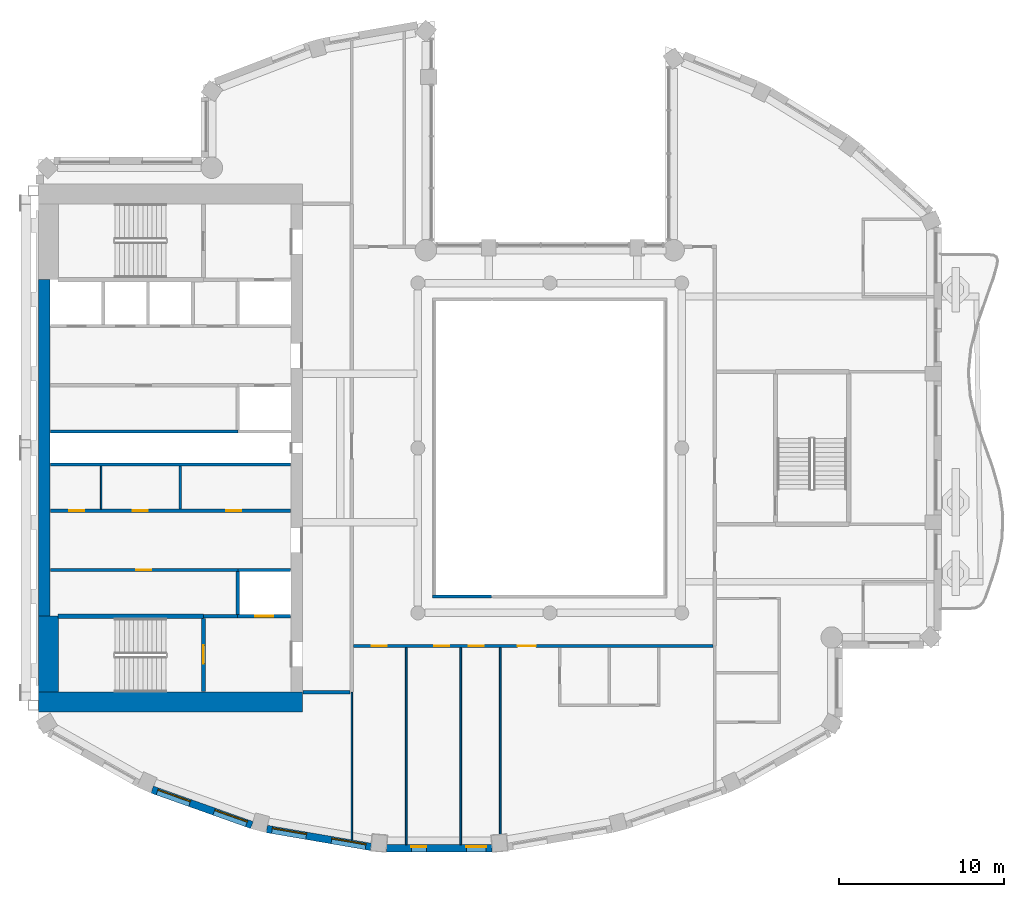
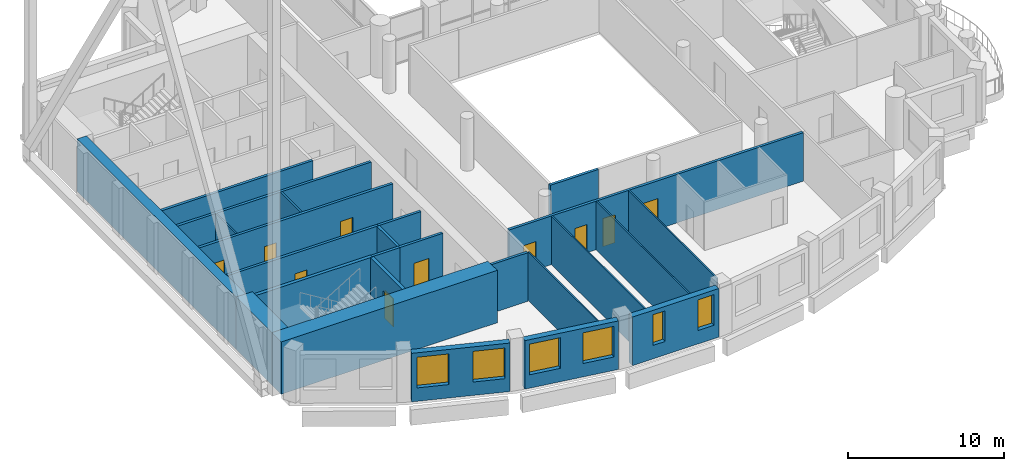
# One storey, part 5 of 18: 25 walls, 10 doors, 6 windows, 16 openings.
"""IFC4 building model written with IfcOpenShell, lengths in metres."""

from ifc_helpers import new_model, si_unit, direction, frame, frame_2d, origin, place, context, subcontext, project, spatial, rectangle, extrude, material, layer, layer_set, type_object, element, fill, save


model = new_model("IFC4")

# Units and contexts
model_context = context("Model", 3, precision=1e-05, world=origin(), true_north=direction((0.0, 1.0)))
body_context = subcontext(model_context, "Body", "Model", "MODEL_VIEW")
ifc_project = project(units=[si_unit("LENGTHUNIT", "METRE"), si_unit("AREAUNIT", "SQUARE_METRE"), si_unit("VOLUMEUNIT", "CUBIC_METRE"), si_unit("PLANEANGLEUNIT", "RADIAN"), si_unit("MASSUNIT", "GRAM", prefix="KILO")], contexts=[model_context])

# Site, building, storey
site_placement = place(None, origin())
site = spatial("IfcSite", under=ifc_project, at=site_placement, CompositionType="ELEMENT")
building_placement = place(site_placement, origin())
building = spatial("IfcBuilding", under=site, at=building_placement, Name="Cypress Arch Tower", CompositionType="ELEMENT")
storey_placement = place(building_placement, frame((0.0, 0.0, 288.5)))
storey = spatial("IfcBuildingStorey", under=building, at=storey_placement, Name="L65", CompositionType="ELEMENT", Elevation=288.5)

# Wall, openings, windows
ifc_material_1 = material(Name="Brick (red buff blend)", Category="masonry")
ifc_layer_1 = layer(ifc_material_1, 0.449951171875)
ifc_layer_set_1 = layer_set([ifc_layer_1], Name="Brick pier and spandrel wall BW450")
wall_type_1 = type_object("IfcWallType", Name="Brick pier and spandrel wall BW450", PredefinedType="SOLIDWALL", material=ifc_layer_set_1)
wall_1_placement = place(storey_placement, frame((-23.10498046875, -20.70947265625, 0.0), z_axis=(0.0, 0.0, 1.0), x_axis=(0.942104058931, -0.335320655711, 0.0)))
wall_1 = element("IfcWall", 1, at=wall_1_placement, inside=storey, type_object=wall_type_1, Name="Brick wall L65 C09.0", PredefinedType="SOLIDWALL", context=body_context, shape_type="SweptSolid", body=[
    extrude(rectangle(XDim=6.411376953125, YDim=0.449951171875, at=frame_2d((3.20556640625, 0.0))), origin(), (0.0, 0.0, 1.0), 3.800048828125),
])
opening_1_placement = place(wall_1_placement, frame((0.3271484375, 0.0, 1.050048828125)))
opening_1 = element("IfcOpeningElement", 2, at=opening_1_placement, cuts=wall_1, Name="Opening W210O", PredefinedType="OPENING", context=body_context, shape_type="SweptSolid", body=[
    extrude(rectangle(XDim=2.10009765625, YDim=2.39990234375, at=frame_2d((1.050048828125, 1.199951171875))), frame((0.0, 0.23486328125, 0.0), z_axis=(0.0, -1.0, 0.0), x_axis=(1.0, 0.0, 0.0)), (0.0, 0.0, 1.0), 0.469970703125),
])
opening_2_placement = place(wall_1_placement, frame((3.984619140625, 0.0, 1.050048828125)))
opening_2 = element("IfcOpeningElement", 3, at=opening_2_placement, cuts=wall_1, Name="Opening W210O", PredefinedType="OPENING", context=body_context, shape_type="SweptSolid", body=[
    extrude(rectangle(XDim=2.10009765625, YDim=2.39990234375, at=frame_2d((1.050048828125, 1.199951171875))), frame((0.0, 0.23486328125, 0.0), z_axis=(0.0, -1.0, 0.0), x_axis=(1.0, 0.0, 0.0)), (0.0, 0.0, 1.0), 0.469970703125),
])
ifc_material_2 = material(Name="Anodised aluminium, bronze finish, clear low-emissivity double glazing", Category="aluminium")
window_type_1 = type_object("IfcWindowType", Name="Window Office 2100x2400", PartitioningType="SINGLE_PANEL", PredefinedType="WINDOW", material=ifc_material_2)
window_1_placement = place(opening_1_placement, origin())
window_1 = element("IfcWindow", 4, at=window_1_placement, inside=storey, type_object=window_type_1, Name="Window L65 C09.0.1", OverallHeight=2.39990234375, OverallWidth=2.10009765625, PartitioningType="SINGLE_PANEL", PredefinedType="WINDOW", context=body_context, shape_type="SweptSolid", body=[
    extrude(rectangle(XDim=2.10009765625, YDim=2.39990234375, at=frame_2d((1.050048828125, 1.199951171875))), frame((0.0, 0.135009765625, 0.0), z_axis=(0.0, -1.0, 0.0), x_axis=(1.0, 0.0, 0.0)), (0.0, 0.0, 1.0), 0.06005859375),
])
fill(opening_1, window_1)
window_2_placement = place(opening_2_placement, origin())
window_2 = element("IfcWindow", 5, at=window_2_placement, inside=storey, type_object=window_type_1, Name="Window L65 C09.0.2", OverallHeight=2.39990234375, OverallWidth=2.10009765625, PartitioningType="SINGLE_PANEL", PredefinedType="WINDOW", context=body_context, shape_type="SweptSolid", body=[
    extrude(rectangle(XDim=2.10009765625, YDim=2.39990234375, at=frame_2d((1.050048828125, 1.199951171875))), frame((0.0, 0.135009765625, 0.0), z_axis=(0.0, -1.0, 0.0), x_axis=(1.0, 0.0, 0.0)), (0.0, 0.0, 1.0), 0.06005859375),
])
fill(opening_2, window_2)

wall_2_placement = place(storey_placement, frame((-16.15673828125, -23.09716796875, 0.0), z_axis=(0.0, 0.0, 1.0), x_axis=(0.985502073964, -0.169663379113, 0.0)))
wall_2 = element("IfcWall", 6, at=wall_2_placement, inside=storey, type_object=wall_type_1, Name="Brick wall L65 C10.0", PredefinedType="SOLIDWALL", context=body_context, shape_type="SweptSolid", body=[
    extrude(rectangle(XDim=6.412109375, YDim=0.449951171875, at=frame_2d((3.2060546875, 0.0))), origin(), (0.0, 0.0, 1.0), 3.800048828125),
])
opening_3_placement = place(wall_2_placement, frame((0.3271484375, 0.0, 1.050048828125)))
opening_3 = element("IfcOpeningElement", 7, at=opening_3_placement, cuts=wall_2, Name="Opening W210O", PredefinedType="OPENING", context=body_context, shape_type="SweptSolid", body=[
    extrude(rectangle(XDim=2.10009765625, YDim=2.39990234375, at=frame_2d((1.050048828125, 1.199951171875))), frame((0.0, 0.23486328125, 0.0), z_axis=(0.0, -1.0, 0.0), x_axis=(1.0, 0.0, 0.0)), (0.0, 0.0, 1.0), 0.469970703125),
])
opening_4_placement = place(wall_2_placement, frame((3.98486328125, 0.0, 1.050048828125)))
opening_4 = element("IfcOpeningElement", 8, at=opening_4_placement, cuts=wall_2, Name="Opening W210O", PredefinedType="OPENING", context=body_context, shape_type="SweptSolid", body=[
    extrude(rectangle(XDim=2.10009765625, YDim=2.39990234375, at=frame_2d((1.050048828125, 1.199951171875))), frame((0.0, 0.23486328125, 0.0), z_axis=(0.0, -1.0, 0.0), x_axis=(1.0, 0.0, 0.0)), (0.0, 0.0, 1.0), 0.469970703125),
])
window_3_placement = place(opening_3_placement, origin())
window_3 = element("IfcWindow", 9, at=window_3_placement, inside=storey, type_object=window_type_1, Name="Window L65 C10.0.1", OverallHeight=2.39990234375, OverallWidth=2.10009765625, PartitioningType="SINGLE_PANEL", PredefinedType="WINDOW", context=body_context, shape_type="SweptSolid", body=[
    extrude(rectangle(XDim=2.10009765625, YDim=2.39990234375, at=frame_2d((1.050048828125, 1.199951171875))), frame((0.0, 0.135009765625, 0.0), z_axis=(0.0, -1.0, 0.0), x_axis=(1.0, 0.0, 0.0)), (0.0, 0.0, 1.0), 0.06005859375),
])
fill(opening_3, window_3)
window_4_placement = place(opening_4_placement, origin())
window_4 = element("IfcWindow", 10, at=window_4_placement, inside=storey, type_object=window_type_1, Name="Window L65 C10.0.2", OverallHeight=2.39990234375, OverallWidth=2.10009765625, PartitioningType="SINGLE_PANEL", PredefinedType="WINDOW", context=body_context, shape_type="SweptSolid", body=[
    extrude(rectangle(XDim=2.10009765625, YDim=2.39990234375, at=frame_2d((1.050048828125, 1.199951171875))), frame((0.0, 0.135009765625, 0.0), z_axis=(0.0, -1.0, 0.0), x_axis=(1.0, 0.0, 0.0)), (0.0, 0.0, 1.0), 0.06005859375),
])
fill(opening_4, window_4)

wall_3_placement = place(storey_placement, frame((-8.90283203125, -24.264892578125, 0.0), z_axis=(0.0, 0.0, 1.0), x_axis=(1.0, 0.0, 0.0)))
wall_3 = element("IfcWall", 11, at=wall_3_placement, inside=storey, type_object=wall_type_1, Name="Brick wall L65 C11.0", PredefinedType="SOLIDWALL", context=body_context, shape_type="SweptSolid", body=[
    extrude(rectangle(XDim=6.405517578125, YDim=0.449951171875, at=frame_2d((3.20263671875, 0.0))), origin(), (0.0, 0.0, 1.0), 3.800048828125),
])
opening_5_placement = place(wall_3_placement, frame((1.51416015625, 0.0, 1.050048828125)))
opening_5 = element("IfcOpeningElement", 12, at=opening_5_placement, cuts=wall_3, Name="Opening W090O", PredefinedType="OPENING", context=body_context, shape_type="SweptSolid", body=[
    extrude(rectangle(XDim=0.89990234375, YDim=2.39990234375, at=frame_2d((0.449951171875, 1.199951171875))), frame((0.0, 0.23486328125, 0.0), z_axis=(0.0, -1.0, 0.0), x_axis=(1.0, 0.0, 0.0)), (0.0, 0.0, 1.0), 0.469970703125),
])
opening_6_placement = place(wall_3_placement, frame((4.84130859375, 0.0, 1.050048828125)))
opening_6 = element("IfcOpeningElement", 13, at=opening_6_placement, cuts=wall_3, Name="Opening W120O", PredefinedType="OPENING", context=body_context, shape_type="SweptSolid", body=[
    extrude(rectangle(XDim=1.199951171875, YDim=2.39990234375, at=frame_2d((0.60009765625, 1.199951171875))), frame((0.0, 0.23486328125, 0.0), z_axis=(0.0, -1.0, 0.0), x_axis=(1.0, 0.0, 0.0)), (0.0, 0.0, 1.0), 0.469970703125),
])
ifc_material_3 = material(Name="Anodised aluminium, bronze finish, clear low-emissivity double glazing", Category="aluminium")
window_type_2 = type_object("IfcWindowType", Name="Window Office 1200x2400", PartitioningType="SINGLE_PANEL", PredefinedType="WINDOW", material=ifc_material_3)
window_5_placement = place(opening_6_placement, origin())
window_5 = element("IfcWindow", 14, at=window_5_placement, inside=storey, type_object=window_type_2, Name="Window L65 C11.0.2", OverallHeight=2.39990234375, OverallWidth=1.199951171875, PartitioningType="SINGLE_PANEL", PredefinedType="WINDOW", context=body_context, shape_type="SweptSolid", body=[
    extrude(rectangle(XDim=1.199951171875, YDim=2.39990234375, at=frame_2d((0.60009765625, 1.199951171875))), frame((0.0, 0.135009765625, 0.0), z_axis=(0.0, -1.0, 0.0), x_axis=(1.0, 0.0, 0.0)), (0.0, 0.0, 1.0), 0.06005859375),
])
fill(opening_6, window_5)
ifc_material_4 = material(Name="Anodised aluminium, bronze finish, clear low-emissivity double glazing", Category="aluminium")
window_type_3 = type_object("IfcWindowType", Name="Window Office 900x2400", PartitioningType="SINGLE_PANEL", PredefinedType="WINDOW", material=ifc_material_4)
window_6_placement = place(opening_5_placement, origin())
window_6 = element("IfcWindow", 15, at=window_6_placement, inside=storey, type_object=window_type_3, Name="Window L65 C11.0.1", OverallHeight=2.39990234375, OverallWidth=0.89990234375, PartitioningType="SINGLE_PANEL", PredefinedType="WINDOW", context=body_context, shape_type="SweptSolid", body=[
    extrude(rectangle(XDim=0.89990234375, YDim=2.39990234375, at=frame_2d((0.449951171875, 1.199951171875))), frame((0.0, 0.135009765625, 0.0), z_axis=(0.0, -1.0, 0.0), x_axis=(1.0, 0.0, 0.0)), (0.0, 0.0, 1.0), 0.06005859375),
])
fill(opening_5, window_6)

# Walls
ifc_material_5 = material(Name="Concrete C60/75", Category="concrete")
ifc_layer_2 = layer(ifc_material_5, 1.199951171875)
ifc_layer_set_2 = layer_set([ifc_layer_2], Name="Core wall CW1200 C60/75")
wall_type_2 = type_object("IfcWallType", Name="Core wall CW1200 C60/75", PredefinedType="SHEAR", material=ifc_layer_set_2)
wall_4_placement = place(storey_placement, frame((-30.0, -15.39990234375, 0.0), z_axis=(0.0, 0.0, 1.0), x_axis=(1.0, 0.0, 0.0)))
element("IfcWall", 16, at=wall_4_placement, inside=storey, type_object=wall_type_2, Name="Core wall", PredefinedType="SHEAR", context=body_context, shape_type="SweptSolid", body=[
    extrude(rectangle(XDim=16.0, YDim=1.199951171875, at=frame_2d((8.0, 0.0))), origin(), (0.0, 0.0, 1.0), 4.10009765625),
])
wall_5_placement = place(storey_placement, frame((-29.39990234375, -14.800048828125, 0.0), z_axis=(0.0, 0.0, 1.0), x_axis=(0.0, 1.0, 0.0)))
element("IfcWall", 17, at=wall_5_placement, inside=storey, type_object=wall_type_2, Name="Core wall", PredefinedType="SHEAR", context=body_context, shape_type="SweptSolid", body=[
    extrude(rectangle(XDim=4.60009765625, YDim=1.199951171875, at=frame_2d((2.300048828125, 0.0))), origin(), (0.0, 0.0, 1.0), 4.10009765625),
])
ifc_material_6 = material(Name="Concrete C60/75", Category="concrete")
ifc_layer_3 = layer(ifc_material_6, 0.699951171875)
ifc_layer_set_3 = layer_set([ifc_layer_3], Name="Core wall CW700 C60/75")
wall_type_3 = type_object("IfcWallType", Name="Core wall CW700 C60/75", PredefinedType="SHEAR", material=ifc_layer_set_3)
wall_6_placement = place(storey_placement, frame((-29.64990234375, -10.199951171875, 0.0), z_axis=(0.0, 0.0, 1.0), x_axis=(0.0, 1.0, 0.0)))
element("IfcWall", 18, at=wall_6_placement, inside=storey, type_object=wall_type_3, Name="Core wall", PredefinedType="SHEAR", context=body_context, shape_type="SweptSolid", body=[
    extrude(rectangle(XDim=20.39990234375, YDim=0.699951171875, at=frame_2d((10.199951171875, 0.0))), origin(), (0.0, 0.0, 1.0), 4.10009765625),
])

# Wall, opening, door
ifc_material_7 = material(Name="Concrete blockwork, plastered, rated", Category="masonry")
ifc_layer_4 = layer(ifc_material_7, 0.199951171875)
ifc_layer_set_4 = layer_set([ifc_layer_4], Name="Corridor wall FW200")
wall_type_4 = type_object("IfcWallType", Name="Corridor wall FW200", PredefinedType="PARTITIONING", material=ifc_layer_set_4)
wall_7_placement = place(storey_placement, frame((-29.27001953125, -7.39990234375, 0.0), z_axis=(0.0, 0.0, 1.0), x_axis=(1.0, 0.0, 0.0)))
wall_7 = element("IfcWall", 19, at=wall_7_placement, inside=storey, type_object=wall_type_4, Name="Corridor wall", PredefinedType="PARTITIONING", context=body_context, shape_type="SweptSolid", body=[
    extrude(rectangle(XDim=11.3701171875, YDim=0.199951171875, at=frame_2d((5.68505859375, 0.0))), origin(), (0.0, 0.0, 1.0), 3.800048828125),
])
opening_7_placement = place(wall_7_placement, frame((5.199951171875, 0.0, 0.0)))
opening_7 = element("IfcOpeningElement", 20, at=opening_7_placement, cuts=wall_7, Name="Opening D05", PredefinedType="OPENING", context=body_context, shape_type="SweptSolid", body=[
    extrude(rectangle(XDim=0.89990234375, YDim=2.199951171875, at=frame_2d((0.449951171875, 1.10009765625))), frame((0.0, 0.10986328125, 0.0), z_axis=(0.0, -1.0, 0.0), x_axis=(1.0, 0.0, 0.0)), (0.0, 0.0, 1.0), 0.219970703125),
])
ifc_material_8 = material(Name="Timber flush door", Category="wood")
door_type_1 = type_object("IfcDoorType", Name="Service door D05 900x2200", OperationType="SINGLE_SWING_LEFT", PredefinedType="DOOR", material=ifc_material_8)
door_1_placement = place(opening_7_placement, origin())
door_1 = element("IfcDoor", 21, at=door_1_placement, inside=storey, type_object=door_type_1, Name="Service door", OperationType="SINGLE_SWING_RIGHT", OverallHeight=2.199951171875, OverallWidth=0.89990234375, PredefinedType="DOOR", context=body_context, shape_type="SweptSolid", body=[
    extrude(rectangle(XDim=0.89990234375, YDim=2.199951171875, at=frame_2d((0.449951171875, 1.10009765625))), frame((0.0, 0.02490234375, 0.0), z_axis=(0.0, -1.0, 0.0), x_axis=(1.0, 0.0, 0.0)), (0.0, 0.0, 1.0), 0.050048828125),
])
fill(opening_7, door_1)

# Wall, openings, doors
wall_8_placement = place(storey_placement, frame((-29.27001953125, -3.800048828125, 0.0), z_axis=(0.0, 0.0, 1.0), x_axis=(1.0, 0.0, 0.0)))
wall_8 = element("IfcWall", 22, at=wall_8_placement, inside=storey, type_object=wall_type_4, Name="Corridor wall", PredefinedType="PARTITIONING", context=body_context, shape_type="SweptSolid", body=[
    extrude(rectangle(XDim=14.5400390625, YDim=0.199951171875, at=frame_2d((7.27001953125, 0.0))), origin(), (0.0, 0.0, 1.0), 3.800048828125),
])
opening_8_placement = place(wall_8_placement, frame((1.14990234375, 0.0, 0.0)))
opening_8 = element("IfcOpeningElement", 23, at=opening_8_placement, cuts=wall_8, Name="Opening D05", PredefinedType="OPENING", context=body_context, shape_type="SweptSolid", body=[
    extrude(rectangle(XDim=0.89990234375, YDim=2.199951171875, at=frame_2d((0.449951171875, 1.10009765625))), frame((0.0, 0.10986328125, 0.0), z_axis=(0.0, -1.0, 0.0), x_axis=(1.0, 0.0, 0.0)), (0.0, 0.0, 1.0), 0.219970703125),
])
opening_9_placement = place(wall_8_placement, frame((5.0, 0.0, 0.0)))
opening_9 = element("IfcOpeningElement", 24, at=opening_9_placement, cuts=wall_8, Name="Opening D05", PredefinedType="OPENING", context=body_context, shape_type="SweptSolid", body=[
    extrude(rectangle(XDim=0.89990234375, YDim=2.199951171875, at=frame_2d((0.449951171875, 1.10009765625))), frame((0.0, 0.10986328125, 0.0), z_axis=(0.0, -1.0, 0.0), x_axis=(1.0, 0.0, 0.0)), (0.0, 0.0, 1.0), 0.219970703125),
])
opening_10_placement = place(wall_8_placement, frame((10.64990234375, 0.0, 0.0)))
opening_10 = element("IfcOpeningElement", 25, at=opening_10_placement, cuts=wall_8, Name="Opening D05", PredefinedType="OPENING", context=body_context, shape_type="SweptSolid", body=[
    extrude(rectangle(XDim=0.89990234375, YDim=2.199951171875, at=frame_2d((0.449951171875, 1.10009765625))), frame((0.0, 0.10986328125, 0.0), z_axis=(0.0, -1.0, 0.0), x_axis=(1.0, 0.0, 0.0)), (0.0, 0.0, 1.0), 0.219970703125),
])
door_2_placement = place(opening_8_placement, origin())
door_2 = element("IfcDoor", 26, at=door_2_placement, inside=storey, type_object=door_type_1, Name="Service door", OperationType="SINGLE_SWING_RIGHT", OverallHeight=2.199951171875, OverallWidth=0.89990234375, PredefinedType="DOOR", context=body_context, shape_type="SweptSolid", body=[
    extrude(rectangle(XDim=0.89990234375, YDim=2.199951171875, at=frame_2d((0.449951171875, 1.10009765625))), frame((0.0, 0.02490234375, 0.0), z_axis=(0.0, -1.0, 0.0), x_axis=(1.0, 0.0, 0.0)), (0.0, 0.0, 1.0), 0.050048828125),
])
fill(opening_8, door_2)
door_3_placement = place(opening_9_placement, origin())
door_3 = element("IfcDoor", 27, at=door_3_placement, inside=storey, type_object=door_type_1, Name="Service door", OperationType="SINGLE_SWING_LEFT", OverallHeight=2.199951171875, OverallWidth=0.89990234375, PredefinedType="DOOR", context=body_context, shape_type="SweptSolid", body=[
    extrude(rectangle(XDim=0.89990234375, YDim=2.199951171875, at=frame_2d((0.449951171875, 1.10009765625))), frame((0.0, 0.02490234375, 0.0), z_axis=(0.0, -1.0, 0.0), x_axis=(1.0, 0.0, 0.0)), (0.0, 0.0, 1.0), 0.050048828125),
])
fill(opening_9, door_3)
door_4_placement = place(opening_10_placement, origin())
door_4 = element("IfcDoor", 28, at=door_4_placement, inside=storey, type_object=door_type_1, Name="Service door", OperationType="SINGLE_SWING_LEFT", OverallHeight=2.199951171875, OverallWidth=0.89990234375, PredefinedType="DOOR", context=body_context, shape_type="SweptSolid", body=[
    extrude(rectangle(XDim=0.89990234375, YDim=2.199951171875, at=frame_2d((0.449951171875, 1.10009765625))), frame((0.0, 0.02490234375, 0.0), z_axis=(0.0, -1.0, 0.0), x_axis=(1.0, 0.0, 0.0)), (0.0, 0.0, 1.0), 0.050048828125),
])
fill(opening_10, door_4)

# Walls
wall_9_placement = place(storey_placement, frame((-20.0, -10.199951171875, 0.0), z_axis=(0.0, 0.0, 1.0), x_axis=(1.0, 0.0, 0.0)))
element("IfcWall", 29, at=wall_9_placement, inside=storey, type_object=wall_type_4, Name="Corridor wall", PredefinedType="PARTITIONING", context=body_context, shape_type="SweptSolid", body=[
    extrude(rectangle(XDim=2.080078125, YDim=0.199951171875, at=frame_2d((1.0400390625, 0.0))), origin(), (0.0, 0.0, 1.0), 3.800048828125),
])
wall_10_placement = place(storey_placement, frame((-13.969970703125, -14.800048828125, 0.0), z_axis=(0.0, 0.0, 1.0), x_axis=(1.0, 0.0, 0.0)))
element("IfcWall", 30, at=wall_10_placement, inside=storey, type_object=wall_type_4, Name="Corridor wall", PredefinedType="PARTITIONING", context=body_context, shape_type="SweptSolid", body=[
    extrude(rectangle(XDim=2.869873046875, YDim=0.199951171875, at=frame_2d((1.43505859375, 0.0))), origin(), (0.0, 0.0, 1.0), 3.800048828125),
])

# Wall, openings, doors
wall_11_placement = place(storey_placement, frame((-10.89990234375, -12.0, 0.0), z_axis=(0.0, 0.0, 1.0), x_axis=(1.0, 0.0, 0.0)))
wall_11 = element("IfcWall", 31, at=wall_11_placement, inside=storey, type_object=wall_type_4, Name="Corridor wall", PredefinedType="PARTITIONING", context=body_context, shape_type="SweptSolid", body=[
    extrude(rectangle(XDim=21.7998046875, YDim=0.199951171875, at=frame_2d((10.89990234375, 0.0))), origin(), (0.0, 0.0, 1.0), 3.800048828125),
])
opening_11_placement = place(wall_11_placement, frame((1.10009765625, 0.0, 0.0)))
opening_11 = element("IfcOpeningElement", 32, at=opening_11_placement, cuts=wall_11, Name="Opening D03", PredefinedType="OPENING", context=body_context, shape_type="SweptSolid", body=[
    extrude(rectangle(XDim=0.89990234375, YDim=2.199951171875, at=frame_2d((0.449951171875, 1.10009765625))), frame((0.0, 0.10986328125, 0.0), z_axis=(0.0, -1.0, 0.0), x_axis=(1.0, 0.0, 0.0)), (0.0, 0.0, 1.0), 0.219970703125),
])
opening_12_placement = place(wall_11_placement, frame((4.89990234375, 0.0, 0.0)))
opening_12 = element("IfcOpeningElement", 33, at=opening_12_placement, cuts=wall_11, Name="Opening D03", PredefinedType="OPENING", context=body_context, shape_type="SweptSolid", body=[
    extrude(rectangle(XDim=0.89990234375, YDim=2.199951171875, at=frame_2d((0.449951171875, 1.10009765625))), frame((0.0, 0.10986328125, 0.0), z_axis=(0.0, -1.0, 0.0), x_axis=(1.0, 0.0, 0.0)), (0.0, 0.0, 1.0), 0.219970703125),
])
opening_13_placement = place(wall_11_placement, frame((7.0, 0.0, 0.0)))
opening_13 = element("IfcOpeningElement", 34, at=opening_13_placement, cuts=wall_11, Name="Opening D03", PredefinedType="OPENING", context=body_context, shape_type="SweptSolid", body=[
    extrude(rectangle(XDim=0.89990234375, YDim=2.199951171875, at=frame_2d((0.449951171875, 1.10009765625))), frame((0.0, 0.10986328125, 0.0), z_axis=(0.0, -1.0, 0.0), x_axis=(1.0, 0.0, 0.0)), (0.0, 0.0, 1.0), 0.219970703125),
])
opening_14_placement = place(wall_11_placement, frame((9.949951171875, 0.0, 0.0)))
opening_14 = element("IfcOpeningElement", 35, at=opening_14_placement, cuts=wall_11, Name="Opening D01", PredefinedType="OPENING", context=body_context, shape_type="SweptSolid", body=[
    extrude(rectangle(XDim=1.10009765625, YDim=2.39990234375, at=frame_2d((0.550048828125, 1.199951171875))), frame((0.0, 0.10986328125, 0.0), z_axis=(0.0, -1.0, 0.0), x_axis=(1.0, 0.0, 0.0)), (0.0, 0.0, 1.0), 0.219970703125),
])
ifc_material_9 = material(Name="Timber flush door, moisture resistant", Category="wood")
door_type_2 = type_object("IfcDoorType", Name="Bathroom door D03 900x2200", OperationType="SINGLE_SWING_LEFT", PredefinedType="DOOR", material=ifc_material_9)
door_5_placement = place(opening_11_placement, origin())
door_5 = element("IfcDoor", 36, at=door_5_placement, inside=storey, type_object=door_type_2, Name="Bathroom door", OperationType="SINGLE_SWING_RIGHT", OverallHeight=2.199951171875, OverallWidth=0.89990234375, PredefinedType="DOOR", context=body_context, shape_type="SweptSolid", body=[
    extrude(rectangle(XDim=0.89990234375, YDim=2.199951171875, at=frame_2d((0.449951171875, 1.10009765625))), frame((0.0, 0.02490234375, 0.0), z_axis=(0.0, -1.0, 0.0), x_axis=(1.0, 0.0, 0.0)), (0.0, 0.0, 1.0), 0.050048828125),
])
fill(opening_11, door_5)
door_6_placement = place(opening_12_placement, origin())
door_6 = element("IfcDoor", 37, at=door_6_placement, inside=storey, type_object=door_type_2, Name="Bathroom door", OperationType="SINGLE_SWING_LEFT", OverallHeight=2.199951171875, OverallWidth=0.89990234375, PredefinedType="DOOR", context=body_context, shape_type="SweptSolid", body=[
    extrude(rectangle(XDim=0.89990234375, YDim=2.199951171875, at=frame_2d((0.449951171875, 1.10009765625))), frame((0.0, 0.02490234375, 0.0), z_axis=(0.0, -1.0, 0.0), x_axis=(1.0, 0.0, 0.0)), (0.0, 0.0, 1.0), 0.050048828125),
])
fill(opening_12, door_6)
door_7_placement = place(opening_13_placement, origin())
door_7 = element("IfcDoor", 38, at=door_7_placement, inside=storey, type_object=door_type_2, Name="Bathroom door", OperationType="SINGLE_SWING_RIGHT", OverallHeight=2.199951171875, OverallWidth=0.89990234375, PredefinedType="DOOR", context=body_context, shape_type="SweptSolid", body=[
    extrude(rectangle(XDim=0.89990234375, YDim=2.199951171875, at=frame_2d((0.449951171875, 1.10009765625))), frame((0.0, 0.02490234375, 0.0), z_axis=(0.0, -1.0, 0.0), x_axis=(1.0, 0.0, 0.0)), (0.0, 0.0, 1.0), 0.050048828125),
])
fill(opening_13, door_7)
ifc_material_10 = material(Name="Timber flush door, fire resisting, self-closing", Category="wood")
door_type_3 = type_object("IfcDoorType", Name="Unit entrance door D01 1100x2400", OperationType="SINGLE_SWING_LEFT", PredefinedType="DOOR", material=ifc_material_10)
door_8_placement = place(opening_14_placement, origin())
door_8 = element("IfcDoor", 39, at=door_8_placement, inside=storey, type_object=door_type_3, Name="Unit entrance door", OperationType="SINGLE_SWING_RIGHT", OverallHeight=2.39990234375, OverallWidth=1.10009765625, PredefinedType="DOOR", context=body_context, shape_type="SweptSolid", body=[
    extrude(rectangle(XDim=1.10009765625, YDim=2.39990234375, at=frame_2d((0.550048828125, 1.199951171875))), frame((0.0, 0.02490234375, 0.0), z_axis=(0.0, -1.0, 0.0), x_axis=(1.0, 0.0, 0.0)), (0.0, 0.0, 1.0), 0.050048828125),
])
fill(opening_14, door_8)

# Walls
wall_12_placement = place(storey_placement, frame((-6.10009765625, -9.0, 0.0), z_axis=(0.0, 0.0, 1.0), x_axis=(1.0, 0.0, 0.0)))
element("IfcWall", 40, at=wall_12_placement, inside=storey, type_object=wall_type_4, Name="Corridor wall", PredefinedType="PARTITIONING", context=body_context, shape_type="SweptSolid", body=[
    extrude(rectangle(XDim=3.580078125, YDim=0.199951171875, at=frame_2d((1.7900390625, 0.0))), origin(), (0.0, 0.0, 1.0), 3.800048828125),
])
ifc_material_11 = material(Name="Blockwork, plastered both sides", Category="masonry")
ifc_layer_5 = layer(ifc_material_11, 0.14990234375)
ifc_layer_set_5 = layer_set([ifc_layer_5], Name="Partition PW150")
wall_type_5 = type_object("IfcWallType", Name="Partition PW150", PredefinedType="PARTITIONING", material=ifc_layer_set_5)
wall_13_placement = place(storey_placement, frame((-21.39990234375, -3.699951171875, 0.0), z_axis=(0.0, 0.0, 1.0), x_axis=(0.0, 1.0, 0.0)))
element("IfcWall", 41, at=wall_13_placement, inside=storey, type_object=wall_type_5, Name="Partition", PredefinedType="PARTITIONING", context=body_context, shape_type="SweptSolid", body=[
    extrude(rectangle(XDim=2.599853515625, YDim=0.14990234375, at=frame_2d((1.2998046875, 0.0))), origin(), (0.0, 0.0, 1.0), 3.800048828125),
])
ifc_material_12 = material(Name="Reinforced blockwork, plastered, rated", Category="masonry")
ifc_layer_6 = layer(ifc_material_12, 0.199951171875)
ifc_layer_set_6 = layer_set([ifc_layer_6], Name="Plant and riser wall PL200")
wall_type_6 = type_object("IfcWallType", Name="Plant and riser wall PL200", PredefinedType="PARTITIONING", material=ifc_layer_set_6)
wall_14_placement = place(storey_placement, frame((-29.27001953125, -1.0, 0.0), z_axis=(0.0, 0.0, 1.0), x_axis=(1.0, 0.0, 0.0)))
element("IfcWall", 42, at=wall_14_placement, inside=storey, type_object=wall_type_6, Name="Plant and riser wall", PredefinedType="PARTITIONING", context=body_context, shape_type="SweptSolid", body=[
    extrude(rectangle(XDim=14.5400390625, YDim=0.199951171875, at=frame_2d((7.27001953125, 0.0))), origin(), (0.0, 0.0, 1.0), 3.800048828125),
])
wall_15_placement = place(storey_placement, frame((-29.27001953125, 1.0, 0.0), z_axis=(0.0, 0.0, 1.0), x_axis=(1.0, 0.0, 0.0)))
element("IfcWall", 43, at=wall_15_placement, inside=storey, type_object=wall_type_6, Name="Plant and riser wall", PredefinedType="PARTITIONING", context=body_context, shape_type="SweptSolid", body=[
    extrude(rectangle(XDim=11.3701171875, YDim=0.199951171875, at=frame_2d((5.68505859375, 0.0))), origin(), (0.0, 0.0, 1.0), 3.800048828125),
])
ifc_material_13 = material(Name="Concrete C50/60", Category="concrete")
ifc_layer_7 = layer(ifc_material_13, 0.199951171875)
ifc_layer_set_7 = layer_set([ifc_layer_7], Name="Shaft wall SH200")
wall_type_7 = type_object("IfcWallType", Name="Shaft wall SH200", PredefinedType="SHEAR", material=ifc_layer_set_7)
wall_16_placement = place(storey_placement, frame((-17.919921875, -10.10009765625, 0.0), z_axis=(0.0, 0.0, 1.0), x_axis=(0.0, 1.0, 0.0)))
element("IfcWall", 44, at=wall_16_placement, inside=storey, type_object=wall_type_7, Name="Shaft wall", PredefinedType="SHEAR", context=body_context, shape_type="SweptSolid", body=[
    extrude(rectangle(XDim=2.60009765625, YDim=0.199951171875, at=frame_2d((1.300048828125, 0.0))), origin(), (0.0, 0.0, 1.0), 3.800048828125),
])

# Wall, opening, door
wall_17_placement = place(storey_placement, frame((-17.919921875, -10.199951171875, 0.0), z_axis=(0.0, 0.0, 1.0), x_axis=(1.0, 0.0, 0.0)))
wall_17 = element("IfcWall", 45, at=wall_17_placement, inside=storey, type_object=wall_type_7, Name="Shaft wall", PredefinedType="SHEAR", context=body_context, shape_type="SweptSolid", body=[
    extrude(rectangle(XDim=3.18994140625, YDim=0.199951171875, at=frame_2d((1.594970703125, 0.0))), origin(), (0.0, 0.0, 1.0), 3.800048828125),
])
opening_15_placement = place(wall_17_placement, frame((1.050048828125, 0.0, 0.0)))
opening_15 = element("IfcOpeningElement", 46, at=opening_15_placement, cuts=wall_17, Name="Opening LD-FL1", PredefinedType="OPENING", context=body_context, shape_type="SweptSolid", body=[
    extrude(rectangle(XDim=1.10009765625, YDim=2.199951171875, at=frame_2d((0.550048828125, 1.10009765625))), frame((0.0, 0.10986328125, 0.0), z_axis=(0.0, -1.0, 0.0), x_axis=(1.0, 0.0, 0.0)), (0.0, 0.0, 1.0), 0.219970703125),
])
ifc_material_14 = material(Name="Stainless steel centre-opening landing door, rated", Category="steel")
door_type_4 = type_object("IfcDoorType", Name="Lift landing door LD 1100x2200", OperationType="DOUBLE_DOOR_SLIDING", PredefinedType="DOOR", material=ifc_material_14)
door_9_placement = place(opening_15_placement, origin())
door_9 = element("IfcDoor", 47, at=door_9_placement, inside=storey, type_object=door_type_4, Name="Lift landing doors FL1", OperationType="DOUBLE_DOOR_SLIDING", OverallHeight=2.199951171875, OverallWidth=1.10009765625, PredefinedType="DOOR", context=body_context, shape_type="SweptSolid", body=[
    extrude(rectangle(XDim=1.10009765625, YDim=2.199951171875, at=frame_2d((0.550048828125, 1.10009765625))), frame((0.0, 0.02490234375, 0.0), z_axis=(0.0, -1.0, 0.0), x_axis=(1.0, 0.0, 0.0)), (0.0, 0.0, 1.0), 0.050048828125),
])
fill(opening_15, door_9)

# Walls
wall_18_placement = place(storey_placement, frame((-17.89990234375, -7.39990234375, 0.0), z_axis=(0.0, 0.0, 1.0), x_axis=(1.0, 0.0, 0.0)))
element("IfcWall", 48, at=wall_18_placement, inside=storey, type_object=wall_type_7, Name="Shaft wall", PredefinedType="SHEAR", context=body_context, shape_type="SweptSolid", body=[
    extrude(rectangle(XDim=3.169921875, YDim=0.199951171875, at=frame_2d((1.5849609375, 0.0))), origin(), (0.0, 0.0, 1.0), 3.800048828125),
])
ifc_material_15 = material(Name="Concrete C50/60", Category="concrete")
ifc_layer_8 = layer(ifc_material_15, 0.25)
ifc_layer_set_8 = layer_set([ifc_layer_8], Name="Stair enclosure wall SW250")
wall_type_8 = type_object("IfcWallType", Name="Stair enclosure wall SW250", PredefinedType="SHEAR", material=ifc_layer_set_8)
wall_19_placement = place(storey_placement, frame((-28.81005859375, -10.199951171875, 0.0), z_axis=(0.0, 0.0, 1.0), x_axis=(1.0, 0.0, 0.0)))
element("IfcWall", 49, at=wall_19_placement, inside=storey, type_object=wall_type_8, Name="Stair enclosure wall", PredefinedType="SHEAR", context=body_context, shape_type="SweptSolid", body=[
    extrude(rectangle(XDim=8.81005859375, YDim=0.25, at=frame_2d((4.405029296875, 0.0))), origin(), (0.0, 0.0, 1.0), 3.800048828125),
])

# Wall, opening, door
wall_20_placement = place(storey_placement, frame((-20.0, -14.77001953125, 0.0), z_axis=(0.0, 0.0, 1.0), x_axis=(0.0, 1.0, 0.0)))
wall_20 = element("IfcWall", 50, at=wall_20_placement, inside=storey, type_object=wall_type_8, Name="Stair enclosure wall", PredefinedType="SHEAR", context=body_context, shape_type="SweptSolid", body=[
    extrude(rectangle(XDim=4.445068359375, YDim=0.25, at=frame_2d((2.22265625, 0.0))), origin(), (0.0, 0.0, 1.0), 3.800048828125),
])
opening_16_placement = place(wall_20_placement, frame((1.699951171875, 0.0, 0.0)))
opening_16 = element("IfcOpeningElement", 51, at=opening_16_placement, cuts=wall_20, Name="Opening D06", PredefinedType="OPENING", context=body_context, shape_type="SweptSolid", body=[
    extrude(rectangle(XDim=1.10009765625, YDim=2.199951171875, at=frame_2d((0.550048828125, 1.10009765625))), frame((0.0, 0.135009765625, 0.0), z_axis=(0.0, -1.0, 0.0), x_axis=(1.0, 0.0, 0.0)), (0.0, 0.0, 1.0), 0.27001953125),
])
ifc_material_16 = material(Name="Steel door, fire resisting, panic bar", Category="steel")
door_type_5 = type_object("IfcDoorType", Name="Stair door D06 1100x2200", OperationType="SINGLE_SWING_LEFT", PredefinedType="DOOR", material=ifc_material_16)
door_10_placement = place(opening_16_placement, origin())
door_10 = element("IfcDoor", 52, at=door_10_placement, inside=storey, type_object=door_type_5, Name="Stair door", OperationType="SINGLE_SWING_RIGHT", OverallHeight=2.199951171875, OverallWidth=1.10009765625, PredefinedType="DOOR", context=body_context, shape_type="SweptSolid", body=[
    extrude(rectangle(XDim=1.10009765625, YDim=2.199951171875, at=frame_2d((0.550048828125, 1.10009765625))), frame((0.0, 0.02490234375, 0.0), z_axis=(0.0, -1.0, 0.0), x_axis=(1.0, 0.0, 0.0)), (0.0, 0.0, 1.0), 0.050048828125),
])
fill(opening_16, door_10)

# Walls
ifc_material_17 = material(Name="Moisture resistant board on steel studs, tiled", Category="steel")
ifc_layer_9 = layer(ifc_material_17, 0.10009765625)
ifc_layer_set_9 = layer_set([ifc_layer_9], Name="Wet wall PW100")
wall_type_9 = type_object("IfcWallType", Name="Wet wall PW100", PredefinedType="PARTITIONING", material=ifc_layer_set_9)
wall_21_placement = place(storey_placement, frame((-26.199951171875, -3.699951171875, 0.0), z_axis=(0.0, 0.0, 1.0), x_axis=(0.0, 1.0, 0.0)))
element("IfcWall", 53, at=wall_21_placement, inside=storey, type_object=wall_type_9, Name="Wet wall", PredefinedType="PARTITIONING", context=body_context, shape_type="SweptSolid", body=[
    extrude(rectangle(XDim=2.599853515625, YDim=0.10009765625, at=frame_2d((1.2998046875, 0.0))), origin(), (0.0, 0.0, 1.0), 3.800048828125),
])
wall_22_placement = place(storey_placement, frame((-11.0, -23.756591796875, 0.0), z_axis=(0.0, 0.0, 1.0), x_axis=(0.0, 1.0, 0.0)))
element("IfcWall", 54, at=wall_22_placement, inside=storey, type_object=wall_type_9, Name="Wet wall", PredefinedType="PARTITIONING", context=body_context, shape_type="SweptSolid", body=[
    extrude(rectangle(XDim=8.9365234375, YDim=0.10009765625, at=frame_2d((4.46826171875, 0.0))), origin(), (0.0, 0.0, 1.0), 3.800048828125),
])
for number, where, z_axis, x_axis, name in (
    (55, (-7.699951171875, -24.0400390625, 0.0), (0.0, 0.0, 1.0), (0.0, 1.0, 0.0), "Wet wall"),
    (56, (-4.39990234375, -24.0400390625, 0.0), (0.0, 0.0, 1.0), (0.0, 1.0, 0.0), "Wet wall"),
):
    element("IfcWall", number, at=place(storey_placement, frame(where, z_axis=z_axis, x_axis=x_axis)), inside=storey, type_object=wall_type_9, Name=name, PredefinedType="PARTITIONING", context=body_context, shape_type="SweptSolid", body=[
        extrude(rectangle(XDim=11.93994140625, YDim=0.10009765625, at=frame_2d((5.969970703125, 0.0))), origin(), (0.0, 0.0, 1.0), 3.800048828125),
    ])
wall_23_placement = place(storey_placement, frame((-2.0, -23.447265625, 0.0), z_axis=(0.0, 0.0, 1.0), x_axis=(0.0, 1.0, 0.0)))
element("IfcWall", 57, at=wall_23_placement, inside=storey, type_object=wall_type_9, Name="Wet wall", PredefinedType="PARTITIONING", context=body_context, shape_type="SweptSolid", body=[
    extrude(rectangle(XDim=11.34716796875, YDim=0.10009765625, at=frame_2d((5.673583984375, 0.0))), origin(), (0.0, 0.0, 1.0), 3.800048828125),
])

save(model, "model.ifc")
